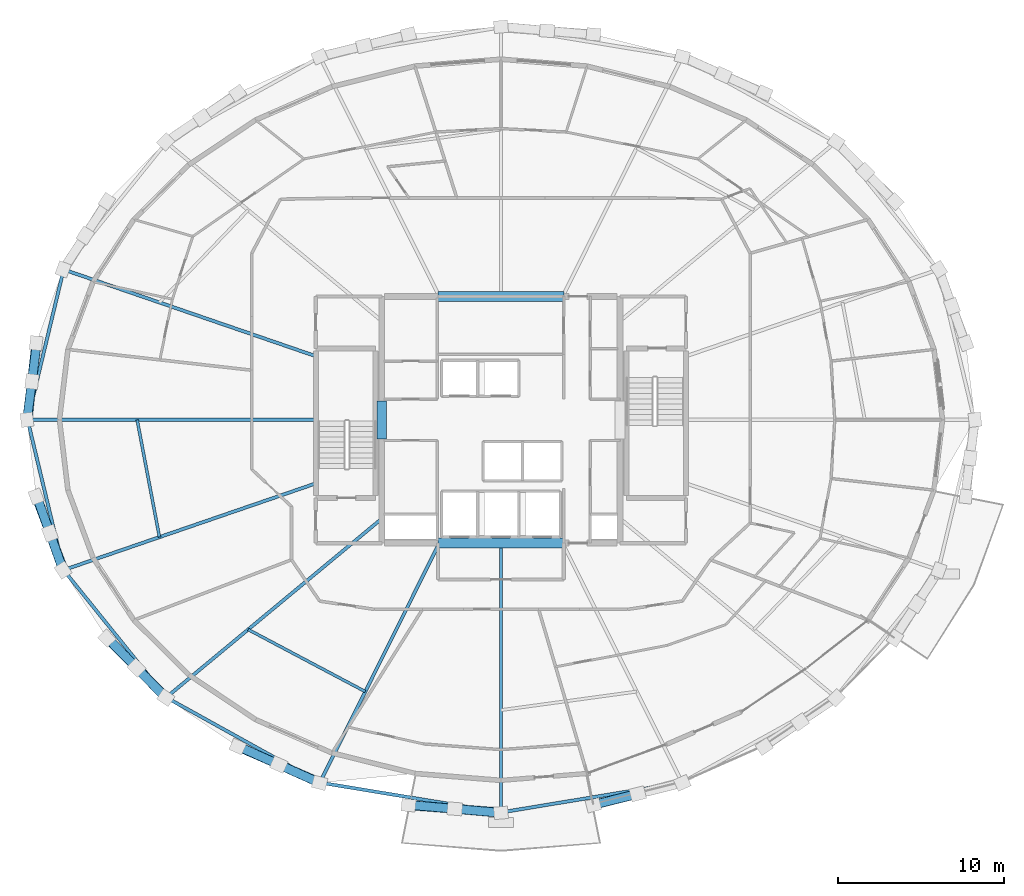
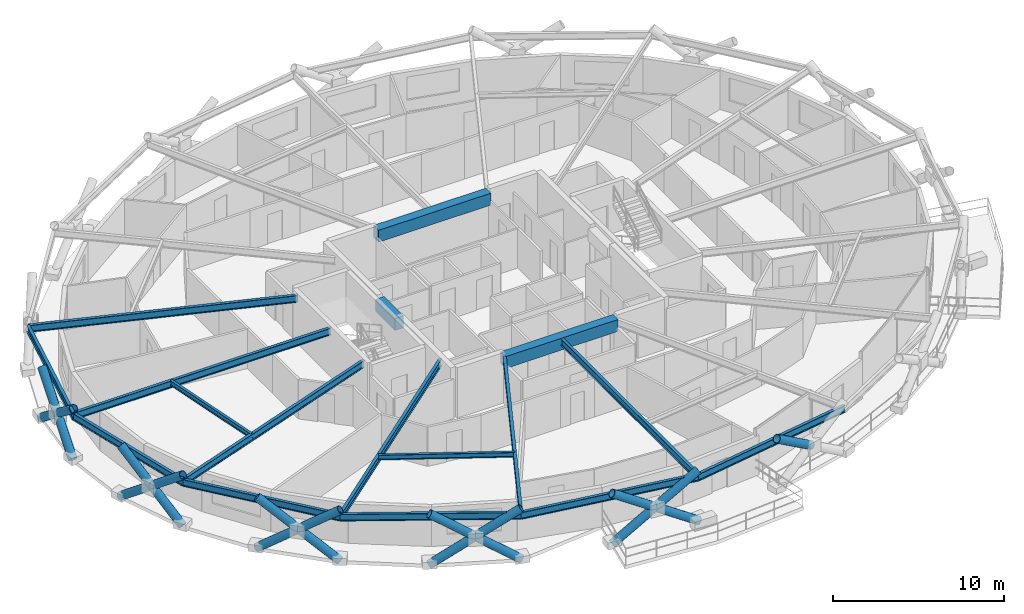
# One storey, part 1 of 12: 17 beams, 16 members.
"""IFC4 building model written with IfcOpenShell, lengths in metres."""

from ifc_helpers import new_model, si_unit, direction, frame, origin, origin_2d, place, context, subcontext, project, spatial, rectangle, hollow_circle, i_section, extrude, material, material_profile, profile_set, type_object, element, save


model = new_model("IFC4")

# Units and contexts
model_context = context("Model", 3, precision=1e-05, world=origin(), true_north=direction((0.0, 1.0)))
body_context = subcontext(model_context, "Body", "Model", "MODEL_VIEW")
ifc_project = project(units=[si_unit("LENGTHUNIT", "METRE"), si_unit("AREAUNIT", "SQUARE_METRE"), si_unit("VOLUMEUNIT", "CUBIC_METRE"), si_unit("PLANEANGLEUNIT", "RADIAN"), si_unit("MASSUNIT", "GRAM", prefix="KILO")], contexts=[model_context])

# Site, building, storey
site_placement = place(None, origin())
site = spatial("IfcSite", under=ifc_project, at=site_placement, CompositionType="ELEMENT")
building_placement = place(site_placement, origin())
building = spatial("IfcBuilding", under=site, at=building_placement, Name="Veldorina Hangang Commons", CompositionType="ELEMENT")
storey_placement = place(building_placement, frame((0.0, 0.0, 124.39990234375)))
storey = spatial("IfcBuildingStorey", under=building, at=storey_placement, Name="L31", CompositionType="ELEMENT", Elevation=124.39990234375)

# Beams
ifc_material_1 = material(Name="Concrete C60/75", Category="concrete")
ifc_material_profile_1 = material_profile(ifc_material_1, rectangle(XDim=0.60009765625, YDim=0.85009765625, at=origin_2d()), Name="RC-CB-600x850")
ifc_profile_set_1 = profile_set([ifc_material_profile_1], Name="Concrete C60/75")
beam_type_1 = type_object("IfcBeamType", Name="BM-CB850", PredefinedType="LINTEL", material=ifc_profile_set_1)
beam_1_placement = place(storey_placement, frame((24.800048828125, 22.85009765625, 2.925048828125), z_axis=(0.0, 1.0, 0.0), x_axis=(-1.0, 0.0, 0.0)))
element("IfcBeam", 1, at=beam_1_placement, inside=storey, type_object=beam_type_1, Name="L31 W core coupling lintel beam", PredefinedType="LINTEL", context=body_context, shape_type="SweptSolid", body=[
    extrude(rectangle(XDim=0.60009765625, YDim=0.85009765625, at=origin_2d()), origin(), (0.0, 0.0, 1.0), 2.2998046875),
])
for number, where, z_axis, x_axis, name in (
    (2, (28.199951171875, 16.550048828125, 2.925048828125), (1.0, 0.0, 0.0), (0.0, 1.0, 0.0), "L31 south core coupling beam"),
    (3, (28.199951171875, 31.449951171875, 2.925048828125), (1.0, 0.0, 0.0), (0.0, 1.0, 0.0), "L31 north core coupling beam"),
):
    element("IfcBeam", number, at=place(storey_placement, frame(where, z_axis=z_axis, x_axis=x_axis)), inside=storey, type_object=beam_type_1, Name=name, PredefinedType="LINTEL", context=body_context, shape_type="SweptSolid", body=[
        extrude(rectangle(XDim=0.60009765625, YDim=0.85009765625, at=origin_2d()), origin(), (0.0, 0.0, 1.0), 7.60009765625),
    ])
ifc_material_2 = material(Name="Steel SM420-TMC", Category="steel")
ifc_material_profile_2 = material_profile(ifc_material_2, i_section(OverallWidth=0.199951171875, OverallDepth=0.5, WebThickness=0.010009765625, FlangeThickness=0.01611328125, FilletRadius=0.01611328125, at=origin_2d()), Name="H-500x200x10x16")
ifc_profile_set_2 = profile_set([ifc_material_profile_2], Name="Steel SM420-TMC")
beam_type_2 = type_object("IfcBeamType", Name="BM-FG500", PredefinedType="BEAM", material=ifc_profile_set_2)
beam_2_placement = place(storey_placement, frame((20.820068359375, 27.8408203125, 3.10009765625), z_axis=(-0.945741040381, 0.324921351314, 0.0), x_axis=(-0.324921351314, -0.945741040381, 0.0)))
element("IfcBeam", 4, at=beam_2_placement, inside=storey, type_object=beam_type_2, Name="L31 radial floor girder 08", PredefinedType="BEAM", context=body_context, shape_type="SweptSolid", body=[
    extrude(i_section(OverallWidth=0.199951171875, OverallDepth=0.5, WebThickness=0.010009765625, FlangeThickness=0.01611328125, FilletRadius=0.01611328125, at=origin_2d()), origin(), (0.0, 0.0, 1.0), 16.10888671875),
])
beam_3_placement = place(storey_placement, frame((20.820068359375, 24.0, 3.10009765625), z_axis=(-1.0, 0.0, 0.0), x_axis=(0.0, -1.0, 0.0)))
element("IfcBeam", 5, at=beam_3_placement, inside=storey, type_object=beam_type_2, Name="L31 radial floor girder 09", PredefinedType="BEAM", context=body_context, shape_type="SweptSolid", body=[
    extrude(i_section(OverallWidth=0.199951171875, OverallDepth=0.5, WebThickness=0.010009765625, FlangeThickness=0.01611328125, FilletRadius=0.01611328125, at=origin_2d()), origin(), (0.0, 0.0, 1.0), 17.411376953125),
])
beam_4_placement = place(storey_placement, frame((20.820068359375, 20.1591796875, 3.10009765625), z_axis=(-0.945741040381, -0.324921351314, 0.0), x_axis=(0.324921351314, -0.945741040381, 0.0)))
element("IfcBeam", 6, at=beam_4_placement, inside=storey, type_object=beam_type_2, Name="L31 radial floor girder 10", PredefinedType="BEAM", context=body_context, shape_type="SweptSolid", body=[
    extrude(i_section(OverallWidth=0.199951171875, OverallDepth=0.5, WebThickness=0.010009765625, FlangeThickness=0.01611328125, FilletRadius=0.01611328125, at=origin_2d()), origin(), (0.0, 0.0, 1.0), 16.10888671875),
])
beam_5_placement = place(storey_placement, frame((24.800048828125, 18.0283203125, 3.10009765625), z_axis=(-0.76970069146, -0.638404922886, 0.0), x_axis=(0.638404922886, -0.76970069146, 0.0)))
element("IfcBeam", 7, at=beam_5_placement, inside=storey, type_object=beam_type_2, Name="L31 radial floor girder 11", PredefinedType="BEAM", context=body_context, shape_type="SweptSolid", body=[
    extrude(i_section(OverallWidth=0.199951171875, OverallDepth=0.5, WebThickness=0.010009765625, FlangeThickness=0.01611328125, FilletRadius=0.01611328125, at=origin_2d()), origin(), (0.0, 0.0, 1.0), 16.911865234375),
])
beam_6_placement = place(storey_placement, frame((28.279296875, 16.550048828125, 3.10009765625), z_axis=(-0.446784524562, -0.894641597855, 0.0), x_axis=(0.894641597855, -0.446784524562, 0.0)))
element("IfcBeam", 8, at=beam_6_placement, inside=storey, type_object=beam_type_2, Name="L31 radial floor girder 12", PredefinedType="BEAM", context=body_context, shape_type="SweptSolid", body=[
    extrude(i_section(OverallWidth=0.199951171875, OverallDepth=0.5, WebThickness=0.010009765625, FlangeThickness=0.01611328125, FilletRadius=0.01611328125, at=origin_2d()), origin(), (0.0, 0.0, 1.0), 16.161376953125),
])
beam_7_placement = place(storey_placement, frame((32.0, 16.550048828125, 3.10009765625), z_axis=(0.0, -1.0, 0.0), x_axis=(1.0, 0.0, 0.0)))
element("IfcBeam", 9, at=beam_7_placement, inside=storey, type_object=beam_type_2, Name="L31 radial floor girder 13", PredefinedType="BEAM", context=body_context, shape_type="SweptSolid", body=[
    extrude(i_section(OverallWidth=0.199951171875, OverallDepth=0.5, WebThickness=0.010009765625, FlangeThickness=0.01611328125, FilletRadius=0.01611328125, at=origin_2d()), origin(), (0.0, 0.0, 1.0), 16.263916015625),
])
ifc_material_3 = material(Name="Steel SM355-TMC", Category="steel")
ifc_material_profile_3 = material_profile(ifc_material_3, i_section(OverallWidth=0.175048828125, OverallDepth=0.35009765625, WebThickness=0.007080078125, FlangeThickness=0.010986328125, FilletRadius=0.012939453125, at=origin_2d()), Name="H-350x175x7x11")
ifc_profile_set_3 = profile_set([ifc_material_profile_3], Name="Steel SM355-TMC")
beam_type_3 = type_object("IfcBeamType", Name="BM-JST350", PredefinedType="JOIST", material=ifc_profile_set_3)
beam_8_placement = place(storey_placement, frame((10.025146484375, 24.0, 3.175048828125), z_axis=(0.187067004341, -0.982347156502, 0.0), x_axis=(0.982347156502, 0.187067004341, 0.0)))
element("IfcBeam", 10, at=beam_8_placement, inside=storey, type_object=beam_type_3, Name="L31 secondary floor joist 09", PredefinedType="JOIST", context=body_context, shape_type="SweptSolid", body=[
    extrude(i_section(OverallWidth=0.175048828125, OverallDepth=0.35009765625, WebThickness=0.007080078125, FlangeThickness=0.010986328125, FilletRadius=0.012939453125, at=origin_2d()), origin(), (0.0, 0.0, 1.0), 7.21337890625),
])
beam_9_placement = place(storey_placement, frame((16.7294921875, 11.33447265625, 3.175048828125), z_axis=(0.883555611094, -0.468326256048, 0.0), x_axis=(0.468326256048, 0.883555611094, 0.0)))
element("IfcBeam", 11, at=beam_9_placement, inside=storey, type_object=beam_type_3, Name="L31 secondary floor joist 11", PredefinedType="JOIST", context=body_context, shape_type="SweptSolid", body=[
    extrude(i_section(OverallWidth=0.175048828125, OverallDepth=0.35009765625, WebThickness=0.007080078125, FlangeThickness=0.010986328125, FilletRadius=0.012939453125, at=origin_2d()), origin(), (0.0, 0.0, 1.0), 8.005126953125),
])
ifc_material_profile_4 = material_profile(ifc_material_2, i_section(OverallWidth=0.199951171875, OverallDepth=0.5, WebThickness=0.010009765625, FlangeThickness=0.01611328125, FilletRadius=0.01611328125, at=origin_2d()), Name="H-500x200x10x16")
ifc_profile_set_4 = profile_set([ifc_material_profile_4], Name="Steel SM420-TMC")
beam_type_4 = type_object("IfcBeamType", Name="BM-RB500", PredefinedType="BEAM", material=ifc_profile_set_4)
for number, where, z_axis, x_axis, name in (
    (12, (5.585205078125, 33.074951171875, 3.10009765625), (-0.233223544236, -0.972423147819, 0.0), (0.972423147819, -0.233223544236, 0.0), "L31 perimeter hoop ring beam 14"),
    (13, (3.40869140625, 24.0, 3.10009765625), (0.233223544236, -0.972423147819, 0.0), (0.972423147819, 0.233223544236, 0.0), "L31 perimeter hoop ring beam 16"),
):
    element("IfcBeam", number, at=place(storey_placement, frame(where, z_axis=z_axis, x_axis=x_axis)), inside=storey, type_object=beam_type_4, Name=name, PredefinedType="BEAM", context=body_context, shape_type="SweptSolid", body=[
        extrude(i_section(OverallWidth=0.199951171875, OverallDepth=0.5, WebThickness=0.010009765625, FlangeThickness=0.01611328125, FilletRadius=0.01611328125, at=origin_2d()), origin(), (0.0, 0.0, 1.0), 9.332275390625),
    ])
beam_10_placement = place(storey_placement, frame((5.585205078125, 14.925048828125, 3.10009765625), z_axis=(0.627349520382, -0.778737811639, 0.0), x_axis=(0.778737811639, 0.627349520382, 0.0)))
element("IfcBeam", 14, at=beam_10_placement, inside=storey, type_object=beam_type_4, Name="L31 perimeter hoop ring beam 18", PredefinedType="BEAM", context=body_context, shape_type="SweptSolid", body=[
    extrude(i_section(OverallWidth=0.199951171875, OverallDepth=0.5, WebThickness=0.010009765625, FlangeThickness=0.01611328125, FilletRadius=0.01611328125, at=origin_2d()), origin(), (0.0, 0.0, 1.0), 9.879150390625),
])
beam_11_placement = place(storey_placement, frame((11.782958984375, 7.231689453125, 3.10009765625), z_axis=(0.874667182289, -0.484723962917, 0.0), x_axis=(0.484723962917, 0.874667182289, 0.0)))
element("IfcBeam", 15, at=beam_11_placement, inside=storey, type_object=beam_type_4, Name="L31 perimeter hoop ring beam 20", PredefinedType="BEAM", context=body_context, shape_type="SweptSolid", body=[
    extrude(i_section(OverallWidth=0.199951171875, OverallDepth=0.5, WebThickness=0.010009765625, FlangeThickness=0.01611328125, FilletRadius=0.01611328125, at=origin_2d()), origin(), (0.0, 0.0, 1.0), 10.604736328125),
])
for number, where, z_axis, x_axis, name in (
    (16, (21.05859375, 2.09130859375, 3.10009765625), (0.986661554027, -0.162785066282, 0.0), (0.162785066282, 0.986661554027, 0.0), "L31 perimeter hoop ring beam 22"),
    (17, (32.0, 0.2861328125, 3.10009765625), (0.986661554027, 0.162785066282, 0.0), (-0.162785066282, 0.986661554027, 0.0), "L31 perimeter hoop ring beam 24"),
):
    element("IfcBeam", number, at=place(storey_placement, frame(where, z_axis=z_axis, x_axis=x_axis)), inside=storey, type_object=beam_type_4, Name=name, PredefinedType="BEAM", context=body_context, shape_type="SweptSolid", body=[
        extrude(i_section(OverallWidth=0.199951171875, OverallDepth=0.5, WebThickness=0.010009765625, FlangeThickness=0.01611328125, FilletRadius=0.01611328125, at=origin_2d()), origin(), (0.0, 0.0, 1.0), 11.08935546875),
    ])

# Members
ifc_material_profile_5 = material_profile(ifc_material_2, hollow_circle(Radius=0.27490234375, WallThickness=0.028076171875, at=origin_2d()), Name="CHS-550x28")
ifc_profile_set_5 = profile_set([ifc_material_profile_5], Name="Steel SM420-TMC")
member_type = type_object("IfcMemberType", Name="DG-CHS550", PredefinedType="BRACE", material=ifc_profile_set_5)
member_1_placement = place(storey_placement, frame((3.923583984375, 28.631103515625, 0.0), z_axis=(-0.086454652854, -0.786550748196, 0.611443794238), x_axis=(0.994013408063, -0.109258155718, 0.0)))
element("IfcMember", 18, at=member_1_placement, inside=storey, type_object=member_type, Name="L31 continuous perimeter diagrid brace 15", PredefinedType="BRACE", context=body_context, shape_type="SweptSolid", body=[
    extrude(hollow_circle(Radius=0.27490234375, WallThickness=0.028076171875, at=origin_2d()), origin(), (0.0, 0.0, 1.0), 5.887939453125),
])
member_2_placement = place(storey_placement, frame((3.373291015625, 24.0, 0.0), z_axis=(0.100226013227, 0.785158991223, 0.611130186437), x_axis=(-0.991950898288, 0.126623123423, 0.0)))
element("IfcMember", 19, at=member_2_placement, inside=storey, type_object=member_type, Name="L31 split perimeter diagrid lower brace 16", PredefinedType="BRACE", context=body_context, shape_type="SweptSolid", body=[
    extrude(hollow_circle(Radius=0.27490234375, WallThickness=0.028076171875, at=origin_2d()), origin(), (0.0, 0.0, 1.0), 2.947509765625),
])
member_3_placement = place(storey_placement, frame((3.668701171875, 26.314208984375, 1.80126953125), z_axis=(0.100273029124, 0.785181775616, 0.611093199824), x_axis=(-0.991943897835, 0.126677952095, 0.0)))
element("IfcMember", 20, at=member_3_placement, inside=storey, type_object=member_type, Name="L31 split perimeter diagrid upper brace 16", PredefinedType="BRACE", context=body_context, shape_type="SweptSolid", body=[
    extrude(hollow_circle(Radius=0.27490234375, WallThickness=0.028076171875, at=origin_2d()), origin(), (0.0, 0.0, 1.0), 2.943603515625),
])
member_4_placement = place(storey_placement, frame((3.923583984375, 19.368896484375, 0.0), z_axis=(0.279845178766, -0.745871227894, 0.604452469033), x_axis=(0.936269956094, 0.351281325031, 0.0)))
element("IfcMember", 21, at=member_4_placement, inside=storey, type_object=member_type, Name="L31 continuous perimeter diagrid brace 17", PredefinedType="BRACE", context=body_context, shape_type="SweptSolid", body=[
    extrude(hollow_circle(Radius=0.27490234375, WallThickness=0.028076171875, at=origin_2d()), origin(), (0.0, 0.0, 1.0), 5.9560546875),
])
member_5_placement = place(storey_placement, frame((5.552490234375, 14.91552734375, 0.0), z_axis=(-0.267171536164, 0.749737815089, 0.605402823654), x_axis=(-0.941977259221, -0.335676694322, 0.0)))
element("IfcMember", 22, at=member_5_placement, inside=storey, type_object=member_type, Name="L31 split perimeter diagrid lower brace 18", PredefinedType="BRACE", context=body_context, shape_type="SweptSolid", body=[
    extrude(hollow_circle(Radius=0.27490234375, WallThickness=0.028076171875, at=origin_2d()), origin(), (0.0, 0.0, 1.0), 2.975341796875),
])
member_6_placement = place(storey_placement, frame((4.757568359375, 17.146240234375, 1.80126953125), z_axis=(-0.267087525285, 0.749833233859, 0.605321712181), x_axis=(-0.94202413043, -0.335545135097, 0.0)))
element("IfcMember", 23, at=member_6_placement, inside=storey, type_object=member_type, Name="L31 split perimeter diagrid upper brace 18", PredefinedType="BRACE", context=body_context, shape_type="SweptSolid", body=[
    extrude(hollow_circle(Radius=0.27490234375, WallThickness=0.028076171875, at=origin_2d()), origin(), (0.0, 0.0, 1.0), 2.9716796875),
])
member_7_placement = place(storey_placement, frame((8.197998046875, 10.8115234375, 0.0), z_axis=(0.577413719697, -0.575449861049, 0.579181192481), x_axis=(0.705901227871, 0.708310282638, 0.0)))
element("IfcMember", 24, at=member_7_placement, inside=storey, type_object=member_type, Name="L31 continuous perimeter diagrid brace 19", PredefinedType="BRACE", context=body_context, shape_type="SweptSolid", body=[
    extrude(hollow_circle(Radius=0.27490234375, WallThickness=0.028076171875, at=origin_2d()), origin(), (0.0, 0.0, 1.0), 6.2158203125),
])
member_8_placement = place(storey_placement, frame((11.7578125, 7.21435546875, 0.0), z_axis=(-0.568660604963, 0.582668574474, 0.580622466568), x_axis=(-0.715657026654, -0.698451873933, 0.0)))
element("IfcMember", 25, at=member_8_placement, inside=storey, type_object=member_type, Name="L31 split perimeter diagrid lower brace 20", PredefinedType="BRACE", context=body_context, shape_type="SweptSolid", body=[
    extrude(hollow_circle(Radius=0.27490234375, WallThickness=0.028076171875, at=origin_2d()), origin(), (0.0, 0.0, 1.0), 3.102294921875),
])
member_9_placement = place(storey_placement, frame((9.99365234375, 9.02197265625, 1.80126953125), z_axis=(-0.568622589074, 0.582727833454, 0.58060022676), x_axis=(-0.715715869095, -0.698391576929, 0.0)))
element("IfcMember", 26, at=member_9_placement, inside=storey, type_object=member_type, Name="L31 split perimeter diagrid upper brace 20", PredefinedType="BRACE", context=body_context, shape_type="SweptSolid", body=[
    extrude(hollow_circle(Radius=0.27490234375, WallThickness=0.028076171875, at=origin_2d()), origin(), (0.0, 0.0, 1.0), 3.09814453125),
])
member_10_placement = place(storey_placement, frame((16.095947265625, 4.26220703125, 0.0), z_axis=(0.763304780009, -0.333195148118, 0.553486048683), x_axis=(0.400062158265, 0.916488008391, 0.0)))
element("IfcMember", 27, at=member_10_placement, inside=storey, type_object=member_type, Name="L31 continuous perimeter diagrid brace 21", PredefinedType="BRACE", context=body_context, shape_type="SweptSolid", body=[
    extrude(hollow_circle(Radius=0.27490234375, WallThickness=0.028076171875, at=origin_2d()), origin(), (0.0, 0.0, 1.0), 6.50439453125),
])
member_11_placement = place(storey_placement, frame((21.045166015625, 2.068359375, 0.0), z_axis=(-0.758836281718, 0.341502630893, 0.55456600206), x_axis=(-0.410390964243, -0.911909675608, 0.0)))
element("IfcMember", 28, at=member_11_placement, inside=storey, type_object=member_type, Name="L31 split perimeter diagrid lower brace 22", PredefinedType="BRACE", context=body_context, shape_type="SweptSolid", body=[
    extrude(hollow_circle(Radius=0.27490234375, WallThickness=0.028076171875, at=origin_2d()), origin(), (0.0, 0.0, 1.0), 3.24853515625),
])
member_12_placement = place(storey_placement, frame((18.580078125, 3.177734375, 1.801513671875), z_axis=(-0.758835001427, 0.341633809907, 0.554486952541), x_axis=(-0.410522618077, -0.91185041539, 0.0)))
element("IfcMember", 29, at=member_12_placement, inside=storey, type_object=member_type, Name="L31 split perimeter diagrid upper brace 22", PredefinedType="BRACE", context=body_context, shape_type="SweptSolid", body=[
    extrude(hollow_circle(Radius=0.27490234375, WallThickness=0.028076171875, at=origin_2d()), origin(), (0.0, 0.0, 1.0), 3.24365234375),
])
member_13_placement = place(storey_placement, frame((26.415283203125, 0.717529296875, 0.0), z_axis=(0.838764384084, -0.064204434384, 0.540695939135), x_axis=(0.076323172251, 0.997083132631, 0.0)))
element("IfcMember", 30, at=member_13_placement, inside=storey, type_object=member_type, Name="L31 continuous perimeter diagrid brace 23", PredefinedType="BRACE", context=body_context, shape_type="SweptSolid", body=[
    extrude(hollow_circle(Radius=0.27490234375, WallThickness=0.028076171875, at=origin_2d()), origin(), (0.0, 0.0, 1.0), 6.658203125),
])
member_14_placement = place(storey_placement, frame((32.0, 0.261474609375, 0.0), z_axis=(-0.837889386417, 0.072726071513, 0.540973469453), x_axis=(-0.086471631714, -0.99625431337, 0.0)))
element("IfcMember", 31, at=member_14_placement, inside=storey, type_object=member_type, Name="L31 split perimeter diagrid lower brace 24", PredefinedType="BRACE", context=body_context, shape_type="SweptSolid", body=[
    extrude(hollow_circle(Radius=0.27490234375, WallThickness=0.028076171875, at=origin_2d()), origin(), (0.0, 0.0, 1.0), 3.330078125),
])
member_15_placement = place(storey_placement, frame((29.209716796875, 0.503662109375, 1.801513671875), z_axis=(-0.837965078273, 0.072754809232, 0.540852350765), x_axis=(-0.086497789924, -0.996252042577, 0.0)))
element("IfcMember", 32, at=member_15_placement, inside=storey, type_object=member_type, Name="L31 split perimeter diagrid upper brace 24", PredefinedType="BRACE", context=body_context, shape_type="SweptSolid", body=[
    extrude(hollow_circle(Radius=0.27490234375, WallThickness=0.028076171875, at=origin_2d()), origin(), (0.0, 0.0, 1.0), 3.325439453125),
])
member_16_placement = place(storey_placement, frame((40.263916015625, 1.40673828125, 1.801513671875), z_axis=(-0.814169985192, -0.200324579311, 0.544974584854), x_axis=(0.238921780364, -0.971038816355, 0.0)))
element("IfcMember", 33, at=member_16_placement, inside=storey, type_object=member_type, Name="L31 split perimeter diagrid upper brace 26", PredefinedType="BRACE", context=body_context, shape_type="SweptSolid", body=[
    extrude(hollow_circle(Radius=0.27490234375, WallThickness=0.028076171875, at=origin_2d()), origin(), (0.0, 0.0, 1.0), 3.30029296875),
])

save(model, "model.ifc")
